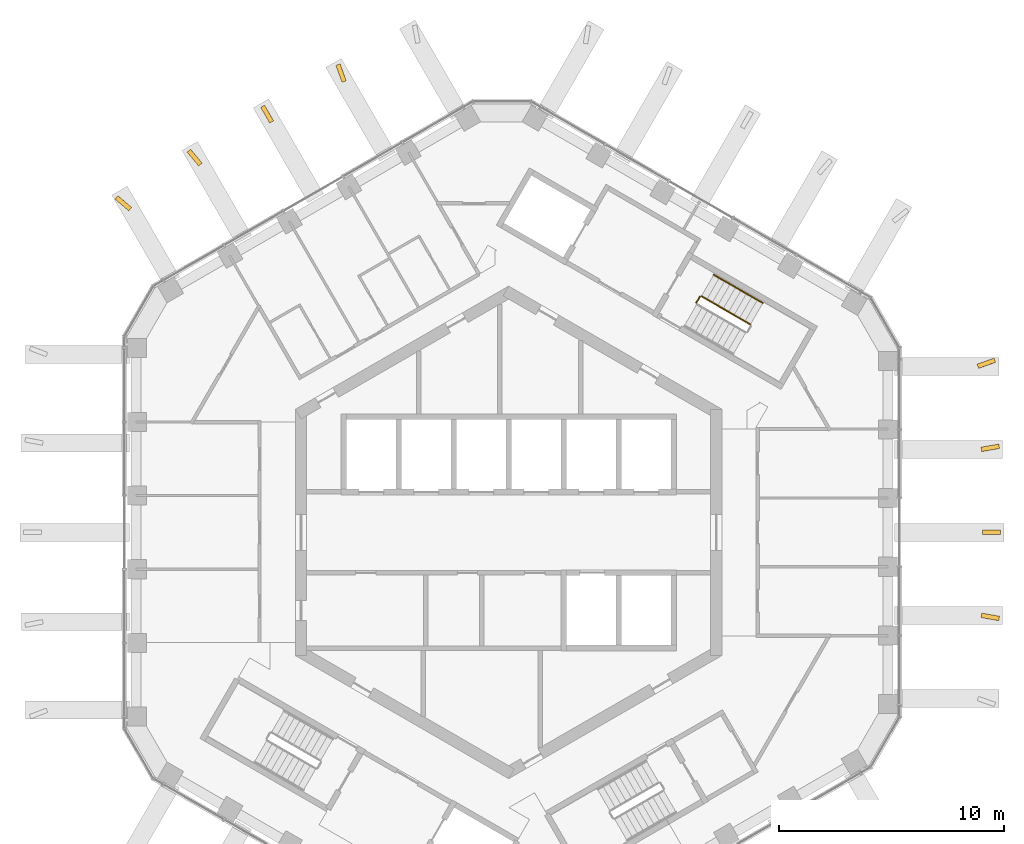
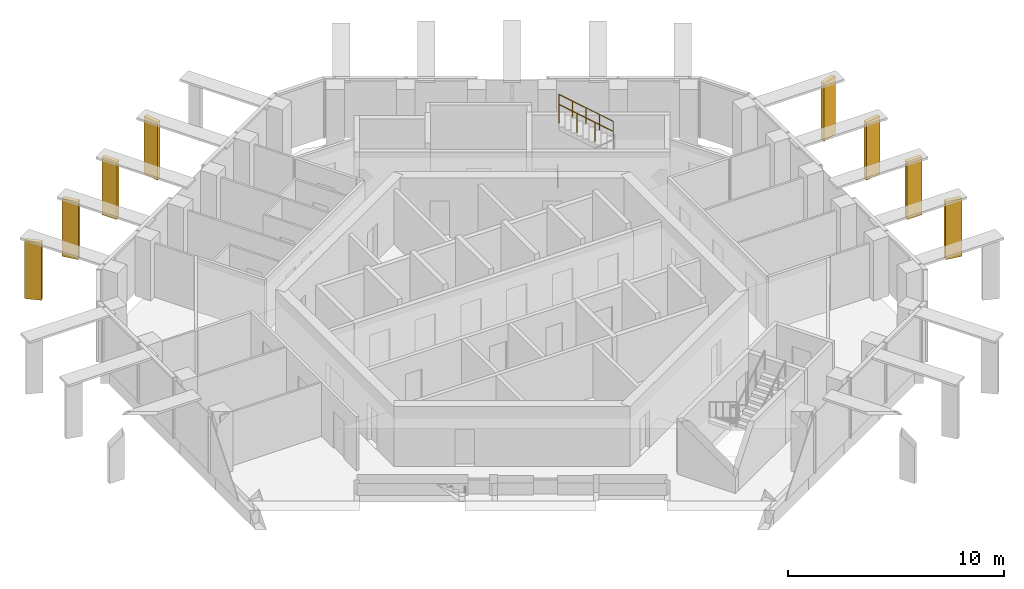
# One storey, part 18 of 19: 8 shading devices, 4 railings.
"""IFC4 building model written with IfcOpenShell, lengths in metres."""

from ifc_helpers import new_model, si_unit, direction, frame, origin, origin_2d, place, context, subcontext, project, spatial, polyline, circle, outline, extrude, material, layer, layer_set, type_object, element, save


model = new_model("IFC4")

# Units and contexts
model_context = context("Model", 3, precision=1e-05, world=origin(), true_north=direction((0.0, 1.0)))
body_context = subcontext(model_context, "Body", "Model", "MODEL_VIEW")
ifc_project = project(units=[si_unit("LENGTHUNIT", "METRE"), si_unit("AREAUNIT", "SQUARE_METRE"), si_unit("VOLUMEUNIT", "CUBIC_METRE"), si_unit("PLANEANGLEUNIT", "RADIAN"), si_unit("MASSUNIT", "GRAM", prefix="KILO")], contexts=[model_context])

# Site, building, storey
site_placement = place(None, origin())
site = spatial("IfcSite", under=ifc_project, at=site_placement, CompositionType="ELEMENT")
building_placement = place(site_placement, origin())
building = spatial("IfcBuilding", under=site, at=building_placement, Name="Ayvan Gate Tower", CompositionType="ELEMENT")
storey_placement = place(building_placement, frame((0.0, 0.0, 235.89990234375)))
storey = spatial("IfcBuildingStorey", under=building, at=storey_placement, Name="L63", CompositionType="ELEMENT", Elevation=235.89990234375)

# Shading devices
ifc_material_1 = material(Name="Bronze anodised aluminium", Category="aluminium")
ifc_layer = layer(ifc_material_1, 0.199951171875)
ifc_layer_set = layer_set([ifc_layer], Name="Bronze anodised aluminium")
shading_device_type = type_object("IfcShadingDeviceType", Name="Crown frame rib 800 x 200", PredefinedType="USERDEFINED", material=ifc_layer_set)
shading_device_1_placement = place(storey_placement, frame((-7.233642578125, 20.117919921875, 0.0), z_axis=(0.93944537209, 0.342698441727, 0.000413395829), x_axis=(-0.342698471002, 0.939445452367, -2.1613e-08)))
element("IfcShadingDevice", 1, at=shading_device_1_placement, inside=storey, type_object=shading_device_type, Name="CROWN FRAME rib FR01.3.2", ObjectType="FIN", PredefinedType="USERDEFINED", context=body_context, shape_type="SweptSolid", body=[
    extrude(outline(polyline([(0.0, 0.0), (0.8001471998957518, -1.3552527156068805e-20), (0.7998773916987362, 3.2800295944350473), (-4.045139712134781e-05, 3.280029559852573), (0.0, 0.0)])), origin(), (0.0, 0.0, -1.0), 0.199951171875),
])
shading_device_2_placement = place(storey_placement, frame((-10.4697265625, 18.333984375, 0.0), z_axis=(0.866055894578, 0.499946979848, 0.000452556301), x_axis=(-0.499947031058, 0.866055983258, 3.4533e-08)))
element("IfcShadingDevice", 2, at=shading_device_2_placement, inside=storey, type_object=shading_device_type, Name="CROWN FRAME rib FR01.3.3", ObjectType="FIN", PredefinedType="USERDEFINED", context=body_context, shape_type="SweptSolid", body=[
    extrude(outline(polyline([(0.0, 0.0), (0.7997837063903365, 2.710505431213761e-20), (0.7997597882155602, 3.2800296051437785), (-0.0002353576238137233, 3.2800296603889167), (0.0, 0.0)])), origin(), (0.0, 0.0, -1.0), 0.199951171875),
])
shading_device_3_placement = place(storey_placement, frame((-13.65283203125, 16.45166015625, 0.0), z_axis=(0.766542733631, 0.642193146069, 0.000447950494), x_axis=(-0.642193210482, 0.766542810553, -5.2396e-08)))
element("IfcShadingDevice", 3, at=shading_device_3_placement, inside=storey, type_object=shading_device_type, Name="CROWN FRAME rib FR01.3.4", ObjectType="FIN", PredefinedType="USERDEFINED", context=body_context, shape_type="SweptSolid", body=[
    extrude(outline(polyline([(0.0, 0.0), (0.7999829235751461, 0.0), (0.800018102011141, 3.280029667877332), (-0.00012160701578308556, 3.280029584037762), (0.0, 0.0)])), origin(), (0.0, 0.0, -1.0), 0.199951171875),
])
shading_device_4_placement = place(storey_placement, frame((-16.793212890625, 14.4765625, 0.0), z_axis=(0.649634625599, 0.760246439493, 0.00045217368), x_axis=(-0.760246517226, 0.649634691996, 4.4811e-08)))
element("IfcShadingDevice", 4, at=shading_device_4_placement, inside=storey, type_object=shading_device_type, Name="CROWN FRAME rib FR01.3.5", ObjectType="FIN", PredefinedType="USERDEFINED", context=body_context, shape_type="SweptSolid", body=[
    extrude(outline(polyline([(0.0, 0.0), (0.8001969189912868, -2.710505431213761e-20), (0.7999608760546724, 3.280029596346853), (-5.043587674463265e-05, 3.280029668054285), (0.0, 0.0)])), origin(), (0.0, 0.0, -1.0), 0.199951171875),
])
shading_device_5_placement = place(storey_placement, frame((21.03955078125, -3.794677734375, 0.0), z_axis=(-0.172731936219, -0.98496877058, 0.000446310278), x_axis=(0.984968868678, -0.172731953428, -1.1765e-08)))
element("IfcShadingDevice", 5, at=shading_device_5_placement, inside=storey, type_object=shading_device_type, Name="CROWN FRAME rib FR01.1.2", ObjectType="FIN", PredefinedType="USERDEFINED", context=body_context, shape_type="SweptSolid", body=[
    extrude(outline(polyline([(0.0, 0.0), (0.7998683654454013, -2.0328790734103208e-20), (0.7998557724478453, 3.2800296329647676), (-0.0002530639127606353, 3.280029614140638), (0.0, 0.0)])), origin(), (0.0, 0.0, -1.0), 0.199951171875),
])
shading_device_6_placement = place(storey_placement, frame((21.112548828125, -0.099853515625, 0.0), z_axis=(0.0, -0.999999900277, 0.000446594671), x_axis=(1.0, 0.0, 0.0)))
element("IfcShadingDevice", 6, at=shading_device_6_placement, inside=storey, type_object=shading_device_type, Name="CROWN FRAME rib FR01.1.3", ObjectType="FIN", PredefinedType="USERDEFINED", context=body_context, shape_type="SweptSolid", body=[
    extrude(outline(polyline([(0.0, 0.0), (0.800048828125, 0.0), (0.7998046875, 3.280029623970722), (-0.000244140625, 3.280029623970722), (0.0, 0.0)])), origin(), (0.0, 0.0, -1.0), 0.199951171875),
])
shading_device_7_placement = place(storey_placement, frame((21.073974609375, 3.597900390625, 0.0), z_axis=(0.172731935214, -0.984968764846, 0.000459167137), x_axis=(0.98496886868, 0.172731953417, -1.2101e-08)))
element("IfcShadingDevice", 7, at=shading_device_7_placement, inside=storey, type_object=shading_device_type, Name="CROWN FRAME rib FR01.1.4", ObjectType="FIN", PredefinedType="USERDEFINED", context=body_context, shape_type="SweptSolid", body=[
    extrude(outline(polyline([(0.0, 0.0), (0.800108836360606, -1.3552527156068805e-20), (0.7998808801624887, 3.2800296523256423), (1.2514717087710687e-05, 3.2800296329650664), (0.0, 0.0)])), origin(), (0.0, 0.0, -1.0), 0.199951171875),
])
shading_device_8_placement = place(storey_placement, frame((20.933837890625, 7.304931640625, 0.0), z_axis=(0.333841452381, -0.94262911006, 0.000495519093), x_axis=(0.942629225786, 0.333841493367, 0.0)))
element("IfcShadingDevice", 8, at=shading_device_8_placement, inside=storey, type_object=shading_device_type, Name="CROWN FRAME rib FR01.1.5", ObjectType="FIN", PredefinedType="USERDEFINED", context=body_context, shape_type="SweptSolid", body=[
    extrude(outline(polyline([(0.0, 0.0), (0.8000498711419429, -2.710505431213761e-20), (0.7998484945020118, 3.2800296995629132), (-0.0002013766399311085, 3.2800296995629132), (0.0, 0.0)])), origin(), (0.0, 0.0, -1.0), 0.199951171875),
])

# Railings
ifc_material_2 = material(Name="Stainless steel balustrade", Category="steel")
railing_type_1 = type_object("IfcRailingType", Name="RL-GUARD-1100", PredefinedType="GUARDRAIL", material=ifc_material_2)
railing_1_placement = place(storey_placement, frame((10.7685546875, 9.261474609375, 1.8701171875)))
element("IfcRailing", 9, at=railing_1_placement, inside=storey, type_object=railing_type_1, Name="L63 STS1 stair guard 3", PredefinedType="GUARDRAIL", context=body_context, shape_type="SweptSolid", body=[
    extrude(circle(Radius=0.02392578125, at=origin_2d()), frame((0.0, 0.0, 1.076171875), z_axis=(-0.740261155115, 0.427395438142, 0.518986090067), x_axis=(-0.500004791531, -0.866022637375, 0.0)), (0.0, 0.0, 1.0), 2.947998046875),
    extrude(circle(Radius=0.02099609375, at=origin_2d()), origin(), (0.0, 0.0, 1.0), 1.052001953125),
    extrude(circle(Radius=0.02099609375, at=origin_2d()), frame((-0.7275390625, 0.419921875, 0.510009765625)), (0.0, 0.0, 1.0), 1.052001953125),
    extrude(circle(Radius=0.02099609375, at=origin_2d()), frame((-1.454833984375, 0.840087890625, 1.02001953125)), (0.0, 0.0, 1.0), 1.052001953125),
    extrude(circle(Radius=0.02099609375, at=origin_2d()), frame((-2.182373046875, 1.260009765625, 1.530029296875)), (0.0, 0.0, 1.0), 1.052001953125),
])
railing_2_placement = place(storey_placement, frame((8.36279296875, 10.23486328125, 0.0)))
element("IfcRailing", 10, at=railing_2_placement, inside=storey, type_object=railing_type_1, Name="L63 STS1 stair guard 4", PredefinedType="GUARDRAIL", context=body_context, shape_type="SweptSolid", body=[
    extrude(circle(Radius=0.02392578125, at=origin_2d()), frame((0.0, 0.0, 1.076171875), z_axis=(0.500290723946, 0.86585748916, 0.0), x_axis=(-0.86585748916, 0.500290723946, 0.0)), (0.0, 0.0, 1.0), 0.309814453125),
    extrude(circle(Radius=0.02099609375, at=origin_2d()), origin(), (0.0, 0.0, 1.0), 1.052001953125),
    extrude(circle(Radius=0.02099609375, at=origin_2d()), frame((0.155029296875, 0.268310546875, 0.0)), (0.0, 0.0, 1.0), 1.052001953125),
])
railing_type_2 = type_object("IfcRailingType", Name="RL-HANDRAIL-900", PredefinedType="HANDRAIL", material=ifc_material_2)
railing_3_placement = place(storey_placement, frame((11.318603515625, 10.214111328125, 1.8701171875)))
element("IfcRailing", 11, at=railing_3_placement, inside=storey, type_object=railing_type_2, Name="L63 STS1 stair handrail 3", PredefinedType="HANDRAIL", context=body_context, shape_type="SweptSolid", body=[
    extrude(circle(Radius=0.02392578125, at=origin_2d()), frame((0.0, 0.0, 0.8759765625), z_axis=(-0.740304193401, 0.427455284825, 0.518875399983), x_axis=(-0.500035496587, -0.86600490885, 0.0)), (0.0, 0.0, 1.0), 1.47412109375),
    extrude(circle(Radius=0.02099609375, at=origin_2d()), origin(), (0.0, 0.0, 1.0), 0.851806640625),
    extrude(circle(Radius=0.02099609375, at=origin_2d()), frame((-0.545654296875, 0.31494140625, 0.38232421875)), (0.0, 0.0, 1.0), 0.851806640625),
    extrude(circle(Radius=0.02099609375, at=origin_2d()), frame((-1.09130859375, 0.630126953125, 0.764892578125)), (0.0, 0.0, 1.0), 0.851806640625),
])
railing_4_placement = place(storey_placement, frame((10.227294921875, 10.84423828125, 2.635009765625)))
element("IfcRailing", 12, at=railing_4_placement, inside=storey, type_object=railing_type_2, Name="L63 STS1 stair handrail 4", PredefinedType="HANDRAIL", context=body_context, shape_type="SweptSolid", body=[
    extrude(circle(Radius=0.02392578125, at=origin_2d()), frame((0.0, 0.0, 0.8759765625), z_axis=(-0.740292964666, 0.42728318766, 0.519033143459), x_axis=(-0.499890179513, -0.866088799389, 0.0)), (0.0, 0.0, 1.0), 1.47412109375),
    extrude(circle(Radius=0.02099609375, at=origin_2d()), origin(), (0.0, 0.0, 1.0), 0.851806640625),
    extrude(circle(Radius=0.02099609375, at=origin_2d()), frame((-0.545654296875, 0.31494140625, 0.382568359375)), (0.0, 0.0, 1.0), 0.851806640625),
    extrude(circle(Radius=0.02099609375, at=origin_2d()), frame((-1.09130859375, 0.6298828125, 0.76513671875)), (0.0, 0.0, 1.0), 0.851806640625),
])

save(model, "model.ifc")
